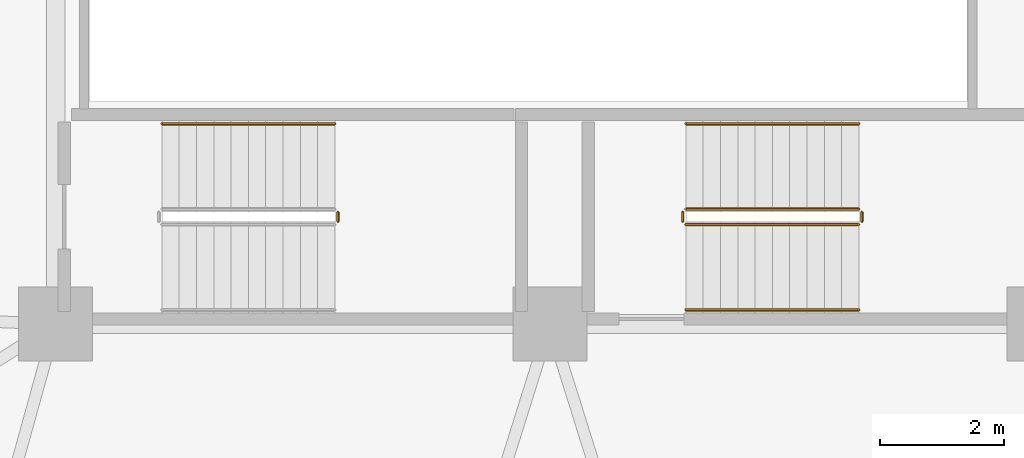
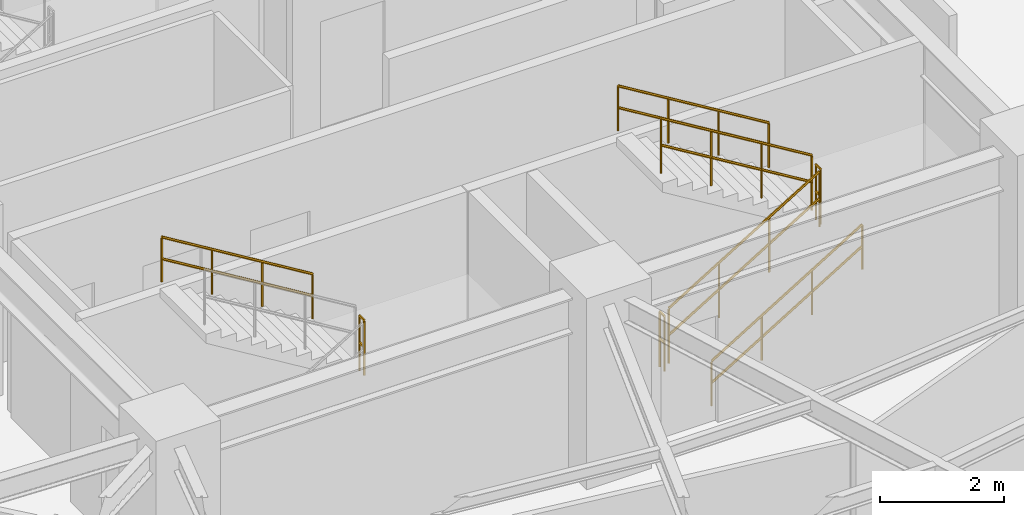
# One storey, part 28 of 30: 8 railings.
"""IFC4 building model written with IfcOpenShell, lengths in metres."""

from ifc_helpers import new_model, si_unit, direction, frame, origin, place, context, subcontext, project, spatial, polyline, outline, extrude, material, type_object, element, save


model = new_model("IFC4")

# Units and contexts
model_context = context("Model", 3, precision=1e-05, world=origin(), true_north=direction((0.0, 1.0)))
body_context = subcontext(model_context, "Body", "Model", "MODEL_VIEW")
ifc_project = project(units=[si_unit("LENGTHUNIT", "METRE"), si_unit("AREAUNIT", "SQUARE_METRE"), si_unit("VOLUMEUNIT", "CUBIC_METRE"), si_unit("PLANEANGLEUNIT", "RADIAN"), si_unit("MASSUNIT", "GRAM", prefix="KILO")], contexts=[model_context])

# Site, building, storey
site_placement = place(None, origin())
site = spatial("IfcSite", under=ifc_project, at=site_placement, CompositionType="ELEMENT")
building_placement = place(site_placement, origin())
building = spatial("IfcBuilding", under=site, at=building_placement, Name="Kelanora Arch Commons", CompositionType="ELEMENT")
storey_placement = place(building_placement, frame((0.0, 0.0, 204.449951171875)))
storey = spatial("IfcBuildingStorey", under=building, at=storey_placement, Name="L52", CompositionType="ELEMENT", Elevation=204.449951171875)

# Railings
ifc_material_1 = material(Name="Painted steel stair well guard", Category="steel")
railing_type_1 = type_object("IfcRailingType", Name="RAIL-STAIR-GRD", PredefinedType="GUARDRAIL", material=ifc_material_1)
railing_1_placement = place(storey_placement, frame((76.199951171875, 52.610107421875, 0.17041015625)))
element("IfcRailing", 1, at=railing_1_placement, inside=storey, type_object=railing_type_1, Name="L52 ST-T2 stair guard 1", PredefinedType="GUARDRAIL", context=body_context, shape_type="SweptSolid", body=[
    extrude(outline(polyline([(0.02392578125, 0.0), (0.011962890625, 0.020751953125), (-0.011962890625, 0.020751953125), (-0.02392578125, 0.0), (-0.011962890625, -0.020751953125), (0.011962890625, -0.020751953125), (0.02392578125, 0.0)])), frame((0.0, 0.0, 1.076171875), z_axis=(0.854169791009, 0.0, 0.51999420009), x_axis=(0.0, 1.0, 0.0)), (0.0, 0.0, 1.0), 3.278076171875),
    extrude(outline(polyline([(0.02392578125, 0.0), (0.011962890625, 0.020751953125), (-0.011962890625, 0.020751953125), (-0.02392578125, 0.0), (-0.011962890625, -0.020751953125), (0.011962890625, -0.020751953125), (0.02392578125, 0.0)])), frame((0.0, 0.0, 0.550048828125), z_axis=(0.854169791009, 0.0, 0.51999420009), x_axis=(0.0, 1.0, 0.0)), (0.0, 0.0, 1.0), 3.278076171875),
    extrude(outline(polyline([(0.02099609375, 0.0), (0.010498046875, 0.01806640625), (-0.010498046875, 0.01806640625), (-0.02099609375, 0.0), (-0.010498046875, -0.01806640625), (0.010498046875, -0.01806640625), (0.02099609375, 0.0)])), origin(), (0.0, 0.0, 1.0), 1.052001953125),
    extrude(outline(polyline([(0.02099609375, 0.0), (0.010498046875, 0.01806640625), (-0.010498046875, 0.01806640625), (-0.02099609375, 0.0), (-0.010498046875, -0.01806640625), (0.010498046875, -0.01806640625), (0.02099609375, 0.0)])), frame((0.933349609375, 0.0, 0.568115234375)), (0.0, 0.0, 1.0), 1.052001953125),
    extrude(outline(polyline([(0.02099609375, 0.0), (0.010498046875, 0.01806640625), (-0.010498046875, 0.01806640625), (-0.02099609375, 0.0), (-0.010498046875, -0.01806640625), (0.010498046875, -0.01806640625), (0.02099609375, 0.0)])), frame((1.86669921875, 0.0, 1.136474609375)), (0.0, 0.0, 1.0), 1.052001953125),
    extrude(outline(polyline([(0.02099609375, 0.0), (0.010498046875, 0.01806640625), (-0.010498046875, 0.01806640625), (-0.02099609375, 0.0), (-0.010498046875, -0.01806640625), (0.010498046875, -0.01806640625), (0.02099609375, 0.0)])), frame((2.800048828125, 0.0, 1.70458984375)), (0.0, 0.0, 1.0), 1.052001953125),
])
railing_2_placement = place(storey_placement, frame((79.050048828125, 52.659912109375, 1.875)))
element("IfcRailing", 2, at=railing_2_placement, inside=storey, type_object=railing_type_1, Name="L52 ST-T2 stair guard 2", PredefinedType="GUARDRAIL", context=body_context, shape_type="SweptSolid", body=[
    extrude(outline(polyline([(0.02392578125, 0.0), (0.011962890625, 0.020751953125), (-0.011962890625, 0.020751953125), (-0.02392578125, 0.0), (-0.011962890625, -0.020751953125), (0.011962890625, -0.020751953125), (0.02392578125, 0.0)])), frame((0.0, 0.0, 1.076171875), z_axis=(0.0, 1.0, 0.0), x_axis=(-1.0, 0.0, 0.0)), (0.0, 0.0, 1.0), 0.150146484375),
    extrude(outline(polyline([(0.02392578125, 0.0), (0.011962890625, 0.020751953125), (-0.011962890625, 0.020751953125), (-0.02392578125, 0.0), (-0.011962890625, -0.020751953125), (0.011962890625, -0.020751953125), (0.02392578125, 0.0)])), frame((0.0, 0.0, 0.550048828125), z_axis=(0.0, 1.0, 0.0), x_axis=(-1.0, 0.0, 0.0)), (0.0, 0.0, 1.0), 0.150146484375),
    extrude(outline(polyline([(0.02099609375, 0.0), (0.010498046875, 0.01806640625), (-0.010498046875, 0.01806640625), (-0.02099609375, 0.0), (-0.010498046875, -0.01806640625), (0.010498046875, -0.01806640625), (0.02099609375, 0.0)])), origin(), (0.0, 0.0, 1.0), 1.052001953125),
    extrude(outline(polyline([(0.02099609375, 0.0), (0.010498046875, 0.01806640625), (-0.010498046875, 0.01806640625), (-0.02099609375, 0.0), (-0.010498046875, -0.01806640625), (0.010498046875, -0.01806640625), (0.02099609375, 0.0)])), frame((0.0, 0.150146484375, 0.0)), (0.0, 0.0, 1.0), 1.052001953125),
])
railing_3_placement = place(storey_placement, frame((79.0, 52.860107421875, 2.04541015625)))
element("IfcRailing", 3, at=railing_3_placement, inside=storey, type_object=railing_type_1, Name="L52 ST-T2 stair guard 3", PredefinedType="GUARDRAIL", context=body_context, shape_type="SweptSolid", body=[
    extrude(outline(polyline([(0.02392578125, 0.0), (0.011962890625, 0.020751953125), (-0.011962890625, 0.020751953125), (-0.02392578125, 0.0), (-0.011962890625, -0.020751953125), (0.011962890625, -0.020751953125), (0.02392578125, 0.0)])), frame((0.0, 0.0, 1.076171875), z_axis=(-0.854169791009, 0.0, 0.51999420009), x_axis=(0.0, -1.0, 0.0)), (0.0, 0.0, 1.0), 3.278076171875),
    extrude(outline(polyline([(0.02392578125, 0.0), (0.011962890625, 0.020751953125), (-0.011962890625, 0.020751953125), (-0.02392578125, 0.0), (-0.011962890625, -0.020751953125), (0.011962890625, -0.020751953125), (0.02392578125, 0.0)])), frame((0.0, 0.0, 0.550048828125), z_axis=(-0.854169791009, 0.0, 0.51999420009), x_axis=(0.0, -1.0, 0.0)), (0.0, 0.0, 1.0), 3.278076171875),
    extrude(outline(polyline([(0.02099609375, 0.0), (0.010498046875, 0.01806640625), (-0.010498046875, 0.01806640625), (-0.02099609375, 0.0), (-0.010498046875, -0.01806640625), (0.010498046875, -0.01806640625), (0.02099609375, 0.0)])), origin(), (0.0, 0.0, 1.0), 1.052001953125),
    extrude(outline(polyline([(0.02099609375, 0.0), (0.010498046875, 0.01806640625), (-0.010498046875, 0.01806640625), (-0.02099609375, 0.0), (-0.010498046875, -0.01806640625), (0.010498046875, -0.01806640625), (0.02099609375, 0.0)])), frame((-0.933349609375, 0.0, 0.568115234375)), (0.0, 0.0, 1.0), 1.052001953125),
    extrude(outline(polyline([(0.02099609375, 0.0), (0.010498046875, 0.01806640625), (-0.010498046875, 0.01806640625), (-0.02099609375, 0.0), (-0.010498046875, -0.01806640625), (0.010498046875, -0.01806640625), (0.02099609375, 0.0)])), frame((-1.86669921875, 0.0, 1.136474609375)), (0.0, 0.0, 1.0), 1.052001953125),
    extrude(outline(polyline([(0.02099609375, 0.0), (0.010498046875, 0.01806640625), (-0.010498046875, 0.01806640625), (-0.02099609375, 0.0), (-0.010498046875, -0.01806640625), (0.010498046875, -0.01806640625), (0.02099609375, 0.0)])), frame((-2.800048828125, 0.0, 1.70458984375)), (0.0, 0.0, 1.0), 1.052001953125),
])
for number, where, name in (
    (4, (76.14990234375, 52.659912109375, 0.0), "L52 ST-T2 stair guard 4"),
    (5, (70.570068359375, 52.659912109375, 1.875), "L52 ST-T3 stair guard 2"),
):
    element("IfcRailing", number, at=place(storey_placement, frame(where)), inside=storey, type_object=railing_type_1, Name=name, PredefinedType="GUARDRAIL", context=body_context, shape_type="SweptSolid", body=[
        extrude(outline(polyline([(0.02392578125, 0.0), (0.011962890625, 0.020751953125), (-0.011962890625, 0.020751953125), (-0.02392578125, 0.0), (-0.011962890625, -0.020751953125), (0.011962890625, -0.020751953125), (0.02392578125, 0.0)])), frame((0.0, 0.0, 1.076171875), z_axis=(0.0, 1.0, 0.0), x_axis=(-1.0, 0.0, 0.0)), (0.0, 0.0, 1.0), 0.150146484375),
        extrude(outline(polyline([(0.02392578125, 0.0), (0.011962890625, 0.020751953125), (-0.011962890625, 0.020751953125), (-0.02392578125, 0.0), (-0.011962890625, -0.020751953125), (0.011962890625, -0.020751953125), (0.02392578125, 0.0)])), frame((0.0, 0.0, 0.550048828125), z_axis=(0.0, 1.0, 0.0), x_axis=(-1.0, 0.0, 0.0)), (0.0, 0.0, 1.0), 0.150146484375),
        extrude(outline(polyline([(0.02099609375, 0.0), (0.010498046875, 0.01806640625), (-0.010498046875, 0.01806640625), (-0.02099609375, 0.0), (-0.010498046875, -0.01806640625), (0.010498046875, -0.01806640625), (0.02099609375, 0.0)])), origin(), (0.0, 0.0, 1.0), 1.052001953125),
        extrude(outline(polyline([(0.02099609375, 0.0), (0.010498046875, 0.01806640625), (-0.010498046875, 0.01806640625), (-0.02099609375, 0.0), (-0.010498046875, -0.01806640625), (0.010498046875, -0.01806640625), (0.02099609375, 0.0)])), frame((0.0, 0.150146484375, 0.0)), (0.0, 0.0, 1.0), 1.052001953125),
    ])
ifc_material_2 = material(Name="Brushed stainless steel stair handrail", Category="steel")
railing_type_2 = type_object("IfcRailingType", Name="RAIL-STAIR-HND", PredefinedType="HANDRAIL", material=ifc_material_2)
railing_4_placement = place(storey_placement, frame((76.199951171875, 51.22998046875, 0.17041015625)))
element("IfcRailing", 6, at=railing_4_placement, inside=storey, type_object=railing_type_2, Name="L52 ST-T2 stair handrail 1", PredefinedType="HANDRAIL", context=body_context, shape_type="SweptSolid", body=[
    extrude(outline(polyline([(0.02392578125, 0.0), (0.011962890625, 0.020751953125), (-0.011962890625, 0.020751953125), (-0.02392578125, 0.0), (-0.011962890625, -0.020751953125), (0.011962890625, -0.020751953125), (0.02392578125, 0.0)])), frame((0.0, 0.0, 0.8759765625), z_axis=(0.854169791009, 0.0, 0.51999420009), x_axis=(0.0, 1.0, 0.0)), (0.0, 0.0, 1.0), 3.278076171875),
    extrude(outline(polyline([(0.02392578125, 0.0), (0.011962890625, 0.020751953125), (-0.011962890625, 0.020751953125), (-0.02392578125, 0.0), (-0.011962890625, -0.020751953125), (0.011962890625, -0.020751953125), (0.02392578125, 0.0)])), frame((0.0, 0.0, 0.449951171875), z_axis=(0.854169791009, 0.0, 0.51999420009), x_axis=(0.0, 1.0, 0.0)), (0.0, 0.0, 1.0), 3.278076171875),
    extrude(outline(polyline([(0.02099609375, 0.0), (0.010498046875, 0.01806640625), (-0.010498046875, 0.01806640625), (-0.02099609375, 0.0), (-0.010498046875, -0.01806640625), (0.010498046875, -0.01806640625), (0.02099609375, 0.0)])), origin(), (0.0, 0.0, 1.0), 0.851806640625),
    extrude(outline(polyline([(0.02099609375, 0.0), (0.010498046875, 0.01806640625), (-0.010498046875, 0.01806640625), (-0.02099609375, 0.0), (-0.010498046875, -0.01806640625), (0.010498046875, -0.01806640625), (0.02099609375, 0.0)])), frame((0.933349609375, 0.0, 0.568115234375)), (0.0, 0.0, 1.0), 0.851806640625),
    extrude(outline(polyline([(0.02099609375, 0.0), (0.010498046875, 0.01806640625), (-0.010498046875, 0.01806640625), (-0.02099609375, 0.0), (-0.010498046875, -0.01806640625), (0.010498046875, -0.01806640625), (0.02099609375, 0.0)])), frame((1.86669921875, 0.0, 1.136474609375)), (0.0, 0.0, 1.0), 0.851806640625),
    extrude(outline(polyline([(0.02099609375, 0.0), (0.010498046875, 0.01806640625), (-0.010498046875, 0.01806640625), (-0.02099609375, 0.0), (-0.010498046875, -0.01806640625), (0.010498046875, -0.01806640625), (0.02099609375, 0.0)])), frame((2.800048828125, 0.0, 1.70458984375)), (0.0, 0.0, 1.0), 0.851806640625),
])
railing_5_placement = place(storey_placement, frame((79.0, 54.239990234375, 2.04541015625)))
element("IfcRailing", 7, at=railing_5_placement, inside=storey, type_object=railing_type_2, Name="L52 ST-T2 stair handrail 2", PredefinedType="HANDRAIL", context=body_context, shape_type="SweptSolid", body=[
    extrude(outline(polyline([(0.02392578125, 0.0), (0.011962890625, 0.020751953125), (-0.011962890625, 0.020751953125), (-0.02392578125, 0.0), (-0.011962890625, -0.020751953125), (0.011962890625, -0.020751953125), (0.02392578125, 0.0)])), frame((0.0, 0.0, 0.8759765625), z_axis=(-0.854169791009, 0.0, 0.51999420009), x_axis=(0.0, -1.0, 0.0)), (0.0, 0.0, 1.0), 3.278076171875),
    extrude(outline(polyline([(0.02392578125, 0.0), (0.011962890625, 0.020751953125), (-0.011962890625, 0.020751953125), (-0.02392578125, 0.0), (-0.011962890625, -0.020751953125), (0.011962890625, -0.020751953125), (0.02392578125, 0.0)])), frame((0.0, 0.0, 0.449951171875), z_axis=(-0.854169791009, 0.0, 0.51999420009), x_axis=(0.0, -1.0, 0.0)), (0.0, 0.0, 1.0), 3.278076171875),
    extrude(outline(polyline([(0.02099609375, 0.0), (0.010498046875, 0.01806640625), (-0.010498046875, 0.01806640625), (-0.02099609375, 0.0), (-0.010498046875, -0.01806640625), (0.010498046875, -0.01806640625), (0.02099609375, 0.0)])), origin(), (0.0, 0.0, 1.0), 0.851806640625),
    extrude(outline(polyline([(0.02099609375, 0.0), (0.010498046875, 0.01806640625), (-0.010498046875, 0.01806640625), (-0.02099609375, 0.0), (-0.010498046875, -0.01806640625), (0.010498046875, -0.01806640625), (0.02099609375, 0.0)])), frame((-0.933349609375, 0.0, 0.568115234375)), (0.0, 0.0, 1.0), 0.851806640625),
    extrude(outline(polyline([(0.02099609375, 0.0), (0.010498046875, 0.01806640625), (-0.010498046875, 0.01806640625), (-0.02099609375, 0.0), (-0.010498046875, -0.01806640625), (0.010498046875, -0.01806640625), (0.02099609375, 0.0)])), frame((-1.86669921875, 0.0, 1.136474609375)), (0.0, 0.0, 1.0), 0.851806640625),
    extrude(outline(polyline([(0.02099609375, 0.0), (0.010498046875, 0.01806640625), (-0.010498046875, 0.01806640625), (-0.02099609375, 0.0), (-0.010498046875, -0.01806640625), (0.010498046875, -0.01806640625), (0.02099609375, 0.0)])), frame((-2.800048828125, 0.0, 1.70458984375)), (0.0, 0.0, 1.0), 0.851806640625),
])
railing_6_placement = place(storey_placement, frame((70.52001953125, 54.239990234375, 2.04541015625)))
element("IfcRailing", 8, at=railing_6_placement, inside=storey, type_object=railing_type_2, Name="L52 ST-T3 stair handrail 2", PredefinedType="HANDRAIL", context=body_context, shape_type="SweptSolid", body=[
    extrude(outline(polyline([(0.02392578125, 0.0), (0.011962890625, 0.020751953125), (-0.011962890625, 0.020751953125), (-0.02392578125, 0.0), (-0.011962890625, -0.020751953125), (0.011962890625, -0.020751953125), (0.02392578125, 0.0)])), frame((0.0, 0.0, 0.8759765625), z_axis=(-0.854169791009, 0.0, 0.51999420009), x_axis=(0.0, -1.0, 0.0)), (0.0, 0.0, 1.0), 3.278076171875),
    extrude(outline(polyline([(0.02392578125, 0.0), (0.011962890625, 0.020751953125), (-0.011962890625, 0.020751953125), (-0.02392578125, 0.0), (-0.011962890625, -0.020751953125), (0.011962890625, -0.020751953125), (0.02392578125, 0.0)])), frame((0.0, 0.0, 0.449951171875), z_axis=(-0.854169791009, 0.0, 0.51999420009), x_axis=(0.0, -1.0, 0.0)), (0.0, 0.0, 1.0), 3.278076171875),
    extrude(outline(polyline([(0.02099609375, 0.0), (0.010498046875, 0.01806640625), (-0.010498046875, 0.01806640625), (-0.02099609375, 0.0), (-0.010498046875, -0.01806640625), (0.010498046875, -0.01806640625), (0.02099609375, 0.0)])), origin(), (0.0, 0.0, 1.0), 0.851806640625),
    extrude(outline(polyline([(0.02099609375, 0.0), (0.010498046875, 0.01806640625), (-0.010498046875, 0.01806640625), (-0.02099609375, 0.0), (-0.010498046875, -0.01806640625), (0.010498046875, -0.01806640625), (0.02099609375, 0.0)])), frame((-0.933349609375, 0.0, 0.568115234375)), (0.0, 0.0, 1.0), 0.851806640625),
    extrude(outline(polyline([(0.02099609375, 0.0), (0.010498046875, 0.01806640625), (-0.010498046875, 0.01806640625), (-0.02099609375, 0.0), (-0.010498046875, -0.01806640625), (0.010498046875, -0.01806640625), (0.02099609375, 0.0)])), frame((-1.86669921875, 0.0, 1.136474609375)), (0.0, 0.0, 1.0), 0.851806640625),
    extrude(outline(polyline([(0.02099609375, 0.0), (0.010498046875, 0.01806640625), (-0.010498046875, 0.01806640625), (-0.02099609375, 0.0), (-0.010498046875, -0.01806640625), (0.010498046875, -0.01806640625), (0.02099609375, 0.0)])), frame((-2.800048828125, 0.0, 1.70458984375)), (0.0, 0.0, 1.0), 0.851806640625),
])

save(model, "model.ifc")
